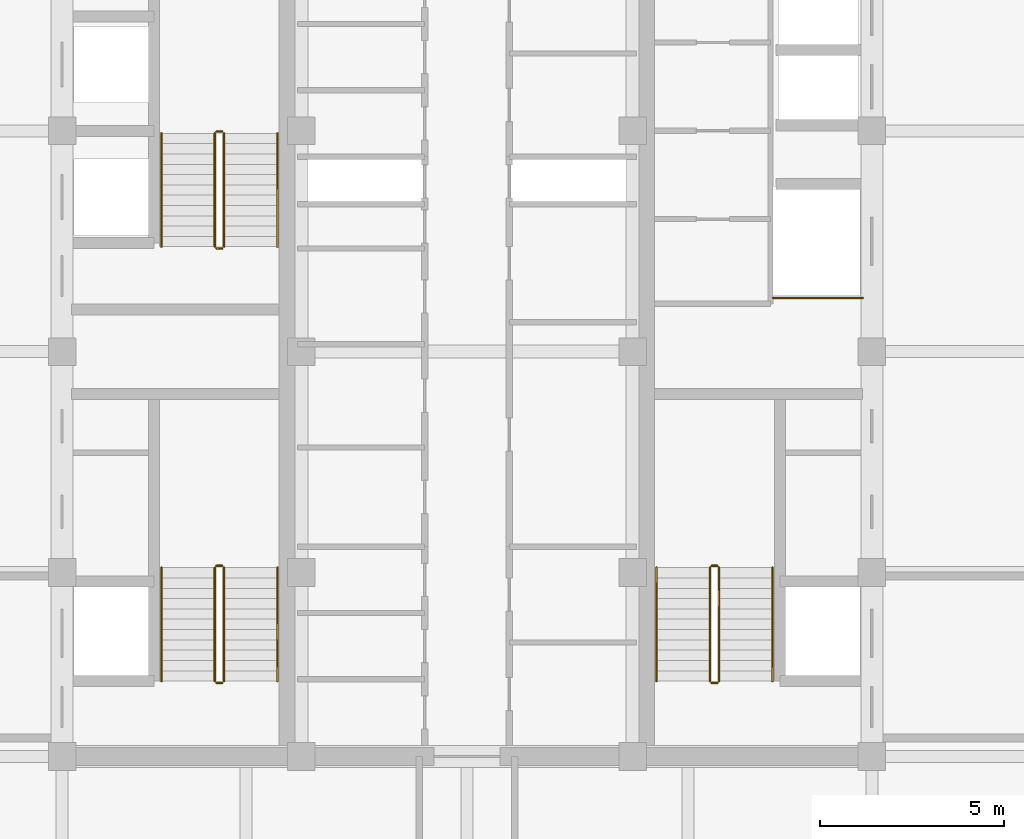
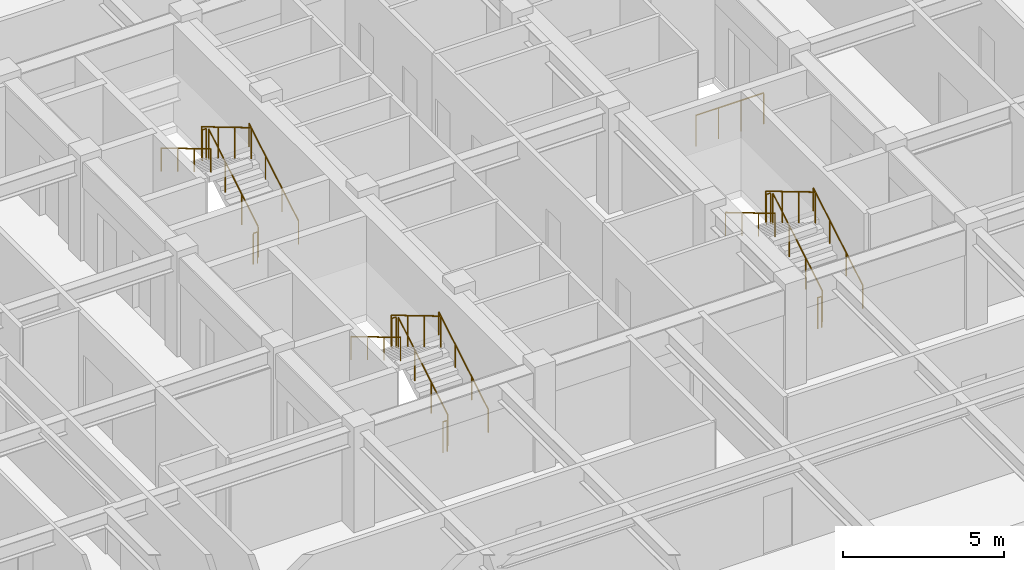
# One storey, part 29 of 29: 19 railings.
"""IFC4 building model written with IfcOpenShell, lengths in metres."""

from ifc_helpers import new_model, si_unit, direction, frame, origin, origin_2d, place, context, subcontext, project, spatial, circle, extrude, source, transform, mapped, material, type_object, element, save


model = new_model("IFC4")

# Units and contexts
model_context = context("Model", 3, precision=1e-05, world=origin(), true_north=direction((0.0, 1.0)))
body_context = subcontext(model_context, "Body", "Model", "MODEL_VIEW")
ifc_project = project(units=[si_unit("LENGTHUNIT", "METRE"), si_unit("AREAUNIT", "SQUARE_METRE"), si_unit("VOLUMEUNIT", "CUBIC_METRE"), si_unit("PLANEANGLEUNIT", "RADIAN"), si_unit("MASSUNIT", "GRAM", prefix="KILO")], contexts=[model_context])

# Site, building, storey
site_placement = place(None, origin())
site = spatial("IfcSite", under=ifc_project, at=site_placement, CompositionType="ELEMENT")
building_placement = place(site_placement, origin())
building = spatial("IfcBuilding", under=site, at=building_placement, Name="Khorayat Bourse Tower", CompositionType="ELEMENT")
storey_placement = place(building_placement, frame((0.0, 0.0, 362.300048828125)))
storey = spatial("IfcBuildingStorey", under=building, at=storey_placement, Name="L86", CompositionType="ELEMENT", Elevation=362.300048828125)

# Railings
ifc_material_1 = material(Name="Powder-coated steel balustrade", Category="steel")
railing_type_1 = type_object("IfcRailingType", Name="RLG-GUARD-1200", PredefinedType="GUARDRAIL", material=ifc_material_1)
shared_shape_1 = source(origin(), body_context, "Body", "SweptSolid", [
    extrude(circle(Radius=0.02392578125, at=origin_2d()), frame((0.0, 0.0, 1.17578125), z_axis=(-1.0, 0.0, 0.0), x_axis=(0.0, -1.0, 0.0)), (0.0, 0.0, 1.0), 0.150146484375),
    extrude(circle(Radius=0.02099609375, at=origin_2d()), origin(), (0.0, 0.0, 1.0), 1.15185546875),
    extrude(circle(Radius=0.02099609375, at=origin_2d()), frame((-0.150146484375, 0.0, 0.0)), (0.0, 0.0, 1.0), 1.15185546875),
])
for number, where, name in (
    (1, (-6.64990234375, -5.820068359375, 2.0), "L86 ST-1 stair guard 2"),
    (2, (-6.64990234375, -9.0, 0.0), "L86 ST-1 stair guard 4"),
    (3, (-6.64990234375, 5.97998046875, 2.0), "L86 ST-2 stair guard 2"),
    (4, (-6.64990234375, 2.800048828125, 0.0), "L86 ST-2 stair guard 4"),
    (5, (6.800048828125, -5.820068359375, 2.0), "L86 ST-3 stair guard 2"),
    (6, (6.800048828125, -9.0, 0.0), "L86 ST-3 stair guard 4"),
):
    element("IfcRailing", number, at=place(storey_placement, frame(where)), inside=storey, type_object=railing_type_1, Name=name, PredefinedType="GUARDRAIL", context=body_context, shape_type="MappedRepresentation", body=[
        mapped(shared_shape_1, transform((0.0, 0.0, 0.0), scale=1.0)),
    ])
shared_shape_2 = source(origin(), body_context, "Body", "SweptSolid", [
    extrude(circle(Radius=0.02392578125, at=origin_2d()), frame((0.0, 0.0, 1.17578125), z_axis=(0.0, 0.859260807169, 0.511537745687), x_axis=(-1.0, 0.0, 0.0)), (0.0, 0.0, 1.0), 3.584228515625),
    extrude(circle(Radius=0.02099609375, at=origin_2d()), origin(), (0.0, 0.0, 1.0), 1.15185546875),
    extrude(circle(Radius=0.02099609375, at=origin_2d()), frame((0.0, 1.026611328125, 0.611083984375)), (0.0, 0.0, 1.0), 1.15185546875),
    extrude(circle(Radius=0.02099609375, at=origin_2d()), frame((0.0, 2.05322265625, 1.222412109375)), (0.0, 0.0, 1.0), 1.15185546875),
    extrude(circle(Radius=0.02099609375, at=origin_2d()), frame((0.0, 3.079833984375, 1.83349609375)), (0.0, 0.0, 1.0), 1.15185546875),
])
for number, where, name in (
    (7, (-6.60009765625, -8.949951171875, 0.16650390625), "L86 ST-1 stair guard 1"),
    (8, (-6.60009765625, 2.85009765625, 0.16650390625), "L86 ST-2 stair guard 1"),
    (9, (6.85009765625, -8.949951171875, 0.16650390625), "L86 ST-3 stair guard 1"),
):
    element("IfcRailing", number, at=place(storey_placement, frame(where)), inside=storey, type_object=railing_type_1, Name=name, PredefinedType="GUARDRAIL", context=body_context, shape_type="MappedRepresentation", body=[
        mapped(shared_shape_2, transform((0.0, 0.0, 0.0), scale=1.0)),
    ])
shared_shape_3 = source(origin(), body_context, "Body", "SweptSolid", [
    extrude(circle(Radius=0.02392578125, at=origin_2d()), frame((0.0, 0.0, 1.17578125), z_axis=(0.0, -0.859260807169, 0.511537745687), x_axis=(1.0, 0.0, 0.0)), (0.0, 0.0, 1.0), 3.584228515625),
    extrude(circle(Radius=0.02099609375, at=origin_2d()), origin(), (0.0, 0.0, 1.0), 1.15185546875),
    extrude(circle(Radius=0.02099609375, at=origin_2d()), frame((0.0, -1.026611328125, 0.611083984375)), (0.0, 0.0, 1.0), 1.15185546875),
    extrude(circle(Radius=0.02099609375, at=origin_2d()), frame((0.0, -2.05322265625, 1.222412109375)), (0.0, 0.0, 1.0), 1.15185546875),
    extrude(circle(Radius=0.02099609375, at=origin_2d()), frame((0.0, -3.079833984375, 1.83349609375)), (0.0, 0.0, 1.0), 1.15185546875),
])
for number, where, name in (
    (10, (-6.85009765625, -5.8701171875, 2.16650390625), "L86 ST-1 stair guard 3"),
    (11, (-6.85009765625, 5.929931640625, 2.16650390625), "L86 ST-2 stair guard 3"),
    (12, (6.60009765625, -5.8701171875, 2.16650390625), "L86 ST-3 stair guard 3"),
):
    element("IfcRailing", number, at=place(storey_placement, frame(where)), inside=storey, type_object=railing_type_1, Name=name, PredefinedType="GUARDRAIL", context=body_context, shape_type="MappedRepresentation", body=[
        mapped(shared_shape_3, transform((0.0, 0.0, 0.0), scale=1.0)),
    ])
ifc_material_2 = material(Name="Brushed bronze stainless-steel handrail", Category="steel")
railing_type_2 = type_object("IfcRailingType", Name="RLG-HAND-900", PredefinedType="HANDRAIL", material=ifc_material_2)
shared_shape_4 = source(origin(), body_context, "Body", "SweptSolid", [
    extrude(circle(Radius=0.02392578125, at=origin_2d()), frame((0.0, 0.0, 0.8759765625), z_axis=(0.0, 0.859260807169, 0.511537745687), x_axis=(-1.0, 0.0, 0.0)), (0.0, 0.0, 1.0), 3.584228515625),
    extrude(circle(Radius=0.02099609375, at=origin_2d()), origin(), (0.0, 0.0, 1.0), 0.851806640625),
    extrude(circle(Radius=0.02099609375, at=origin_2d()), frame((0.0, 1.026611328125, 0.611083984375)), (0.0, 0.0, 1.0), 0.851806640625),
    extrude(circle(Radius=0.02099609375, at=origin_2d()), frame((0.0, 2.05322265625, 1.222412109375)), (0.0, 0.0, 1.0), 0.851806640625),
    extrude(circle(Radius=0.02099609375, at=origin_2d()), frame((0.0, 3.079833984375, 1.83349609375)), (0.0, 0.0, 1.0), 0.851806640625),
])
for number, where, name in (
    (13, (-5.14990234375, -8.949951171875, 0.16650390625), "L86 ST-1 stair handrail 1"),
    (14, (-5.14990234375, 2.85009765625, 0.16650390625), "L86 ST-2 stair handrail 1"),
    (15, (8.300048828125, -8.949951171875, 0.16650390625), "L86 ST-3 stair handrail 1"),
):
    element("IfcRailing", number, at=place(storey_placement, frame(where)), inside=storey, type_object=railing_type_2, Name=name, PredefinedType="HANDRAIL", context=body_context, shape_type="MappedRepresentation", body=[
        mapped(shared_shape_4, transform((0.0, 0.0, 0.0), scale=1.0)),
    ])
shared_shape_5 = source(origin(), body_context, "Body", "SweptSolid", [
    extrude(circle(Radius=0.02392578125, at=origin_2d()), frame((0.0, 0.0, 0.8759765625), z_axis=(0.0, -0.859260807169, 0.511537745687), x_axis=(1.0, 0.0, 0.0)), (0.0, 0.0, 1.0), 3.584228515625),
    extrude(circle(Radius=0.02099609375, at=origin_2d()), origin(), (0.0, 0.0, 1.0), 0.851806640625),
    extrude(circle(Radius=0.02099609375, at=origin_2d()), frame((0.0, -1.026611328125, 0.611083984375)), (0.0, 0.0, 1.0), 0.851806640625),
    extrude(circle(Radius=0.02099609375, at=origin_2d()), frame((0.0, -2.05322265625, 1.222412109375)), (0.0, 0.0, 1.0), 0.851806640625),
    extrude(circle(Radius=0.02099609375, at=origin_2d()), frame((0.0, -3.079833984375, 1.83349609375)), (0.0, 0.0, 1.0), 0.851806640625),
])
for number, where, name in (
    (16, (-8.300048828125, -5.8701171875, 2.16650390625), "L86 ST-1 stair handrail 2"),
    (17, (-8.300048828125, 5.929931640625, 2.16650390625), "L86 ST-2 stair handrail 2"),
    (18, (5.14990234375, -5.8701171875, 2.16650390625), "L86 ST-3 stair handrail 2"),
):
    element("IfcRailing", number, at=place(storey_placement, frame(where)), inside=storey, type_object=railing_type_2, Name=name, PredefinedType="HANDRAIL", context=body_context, shape_type="MappedRepresentation", body=[
        mapped(shared_shape_5, transform((0.0, 0.0, 0.0), scale=1.0)),
    ])
shared_shape_6 = source(origin(), body_context, "Body", "SweptSolid", [
    extrude(circle(Radius=0.02392578125, at=origin_2d()), frame((0.0, 0.0, 1.17578125), z_axis=(1.0, 0.0, 0.0), x_axis=(0.0, 1.0, 0.0)), (0.0, 0.0, 1.0), 2.429931640625),
    extrude(circle(Radius=0.02099609375, at=origin_2d()), origin(), (0.0, 0.0, 1.0), 1.15185546875),
    extrude(circle(Radius=0.02099609375, at=origin_2d()), frame((0.81005859375, 0.0, 0.0)), (0.0, 0.0, 1.0), 1.15185546875),
    extrude(circle(Radius=0.02099609375, at=origin_2d()), frame((1.619873046875, 0.0, 0.0)), (0.0, 0.0, 1.0), 1.15185546875),
    extrude(circle(Radius=0.02099609375, at=origin_2d()), frame((2.429931640625, 0.0, 0.0)), (0.0, 0.0, 1.0), 1.15185546875),
])
railing_placement = place(storey_placement, frame((8.320068359375, 1.4599609375, 0.0)))
element("IfcRailing", 19, at=railing_placement, inside=storey, type_object=railing_type_1, Name="L86 Goods Shaft Opening Guardrail", PredefinedType="GUARDRAIL", context=body_context, shape_type="MappedRepresentation", body=[
    mapped(shared_shape_6, transform((0.0, 0.0, 0.0), scale=1.0)),
])

save(model, "model.ifc")
